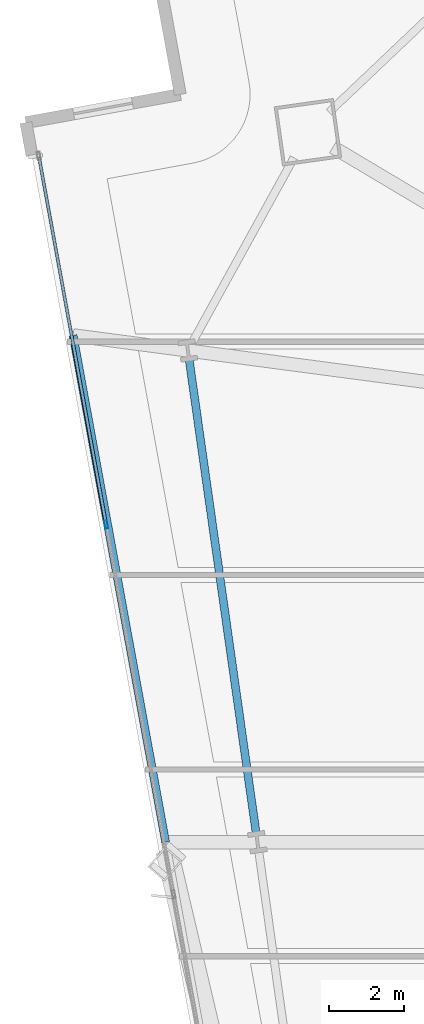
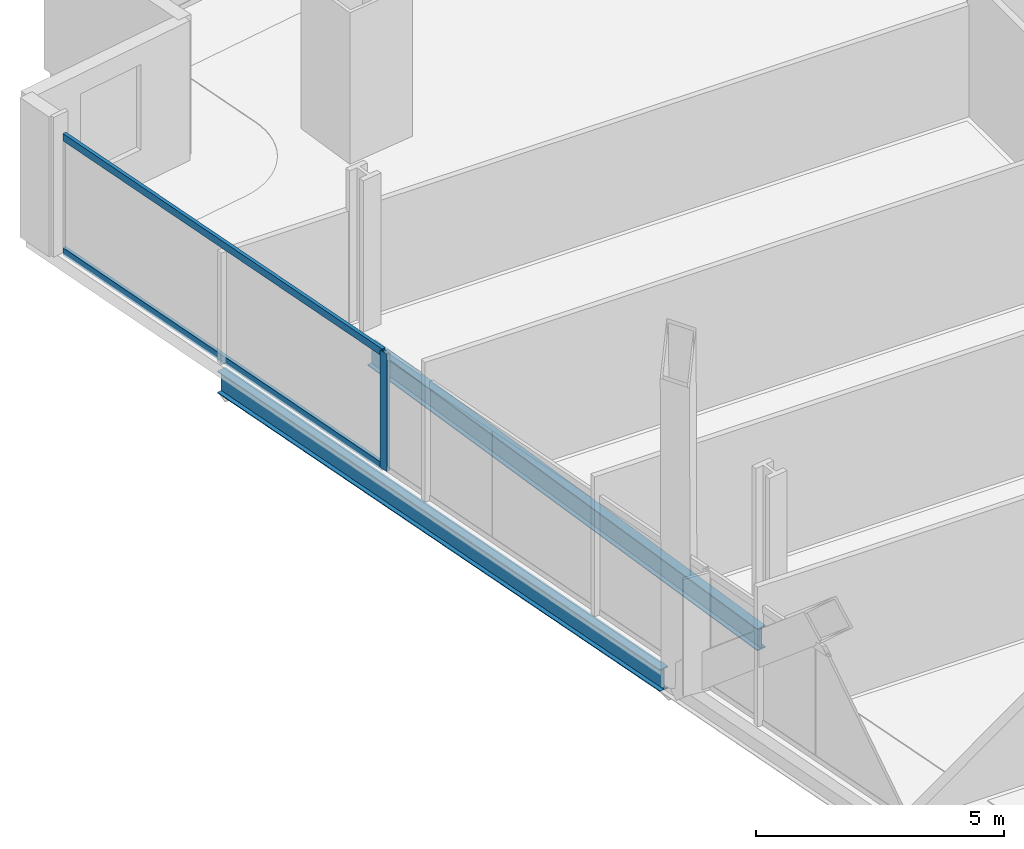
# One storey, part 14 of 34: 3 members, 2 beams, 1 element without a shape of its own.
"""IFC4 building model written with IfcOpenShell, lengths in metres."""

from ifc_helpers import new_model, si_unit, direction, frame, origin, origin_2d, place, context, subcontext, project, spatial, hollow_rectangle, i_section, extrude, material, material_profile, profile_set, type_object, element, aggregate, save


model = new_model("IFC4")

# Units and contexts
model_context = context("Model", 3, precision=1e-05, world=origin(), true_north=direction((0.0, 1.0)))
body_context = subcontext(model_context, "Body", "Model", "MODEL_VIEW")
ifc_project = project(units=[si_unit("LENGTHUNIT", "METRE"), si_unit("AREAUNIT", "SQUARE_METRE"), si_unit("VOLUMEUNIT", "CUBIC_METRE"), si_unit("PLANEANGLEUNIT", "RADIAN"), si_unit("MASSUNIT", "GRAM", prefix="KILO")], contexts=[model_context])

# Site, building, storey
site_placement = place(None, origin())
site = spatial("IfcSite", under=ifc_project, at=site_placement, CompositionType="ELEMENT")
building_placement = place(site_placement, origin())
building = spatial("IfcBuilding", under=site, at=building_placement, Name="Haldenkirk Collegiate Tower", CompositionType="ELEMENT")
storey_placement = place(building_placement, frame((0.0, 0.0, 62.699951171875)))
storey = spatial("IfcBuildingStorey", under=building, at=storey_placement, Name="L14", CompositionType="ELEMENT", Elevation=62.699951171875)

# Beams
ifc_material_1 = material(Name="Steel ASTM A992 Grade 50", Category="steel")
ifc_material_profile_1 = material_profile(ifc_material_1, i_section(OverallWidth=0.2119140625, OverallDepth=0.5439453125, WebThickness=0.01318359375, FlangeThickness=0.021240234375, at=origin_2d()), Name="W21X83")
ifc_profile_set_1 = profile_set([ifc_material_profile_1], Name="Steel ASTM A992 Grade 50")
beam_type = type_object("IfcBeamType", Name="BM-SPANDREL-W21X83", PredefinedType="SPANDREL", material=ifc_profile_set_1)
beam_1_placement = place(storey_placement, frame((10.30322265625, 35.951171875, -0.58203125), z_axis=(0.140049989419, -0.990144434143, 0.0), x_axis=(0.990144434143, 0.140049989419, 0.0)))
element("IfcBeam", 1, at=beam_1_placement, inside=storey, type_object=beam_type, Name="L14 perimeter spandrel beam 14", PredefinedType="SPANDREL", context=body_context, shape_type="SweptSolid", body=[
    extrude(i_section(OverallWidth=0.2119140625, OverallDepth=0.5439453125, WebThickness=0.01318359375, FlangeThickness=0.021240234375, at=origin_2d()), origin(), (0.0, 0.0, 1.0), 12.76220703125),
])
beam_2_placement = place(storey_placement, frame((7.193359375, 36.619384765625, -0.58203125), z_axis=(0.179651860756, -0.983730252115, 0.0), x_axis=(0.983730252115, 0.179651860756, 0.0)))
element("IfcBeam", 2, at=beam_2_placement, inside=storey, type_object=beam_type, Name="L14 outer facade edge beam 4A", PredefinedType="SPANDREL", context=body_context, shape_type="SweptSolid", body=[
    extrude(i_section(OverallWidth=0.2119140625, OverallDepth=0.5439453125, WebThickness=0.01318359375, FlangeThickness=0.021240234375, at=origin_2d()), origin(), (0.0, 0.0, 1.0), 13.790771484375),
])

# Curtain wall, members
ifc_material_2 = material(Name="Anodised architectural bronze aluminium", Category="aluminium")
curtain_wall_type = type_object("IfcCurtainWallType", Name="CW-SYS1-CONVEX-LOW", PredefinedType="USERDEFINED", material=ifc_material_2)
curtain_wall_placement = place(storey_placement, origin())
curtain_wall = element("IfcCurtainWall", 3, at=curtain_wall_placement, inside=storey, type_object=curtain_wall_type, Name="L14 Lower tower convex bronze-framed unitised curtain wall", ObjectType="UNITISED CURTAIN WALL", PredefinedType="USERDEFINED")
ifc_material_profile_2 = material_profile(ifc_material_2, hollow_rectangle(XDim=0.080078125, YDim=0.219970703125, WallThickness=0.0048828125, at=origin_2d()), Name="CW-MUL-1A")
ifc_profile_set_2 = profile_set([ifc_material_profile_2], Name="Anodised architectural bronze aluminium")
member_type_1 = type_object("IfcMemberType", Name="CW-MUL-1A", PredefinedType="MULLION", material=ifc_profile_set_2)
member_1_placement = place(storey_placement, frame((8.07763671875, 31.554931640625, 0.0), z_axis=(0.0, 0.0, 1.0), x_axis=(-0.983728733251, -0.179660177491, 0.0)))
member_1 = element("IfcMember", 4, at=member_1_placement, type_object=member_type_1, Name="CW-1A mullion 4", PredefinedType="MULLION", context=body_context, shape_type="SweptSolid", body=[
    extrude(hollow_rectangle(XDim=0.080078125, YDim=0.219970703125, WallThickness=0.0048828125, at=origin_2d()), origin(), (0.0, 0.0, 1.0), 2.89111328125),
])
ifc_material_profile_3 = material_profile(ifc_material_2, hollow_rectangle(XDim=0.080078125, YDim=0.179931640625, WallThickness=0.0048828125, at=origin_2d()), Name="CW-TRN-1A")
ifc_profile_set_3 = profile_set([ifc_material_profile_3], Name="Anodised architectural bronze aluminium")
member_type_2 = type_object("IfcMemberType", Name="CW-TRN-1A", PredefinedType="USERDEFINED", material=ifc_profile_set_3)
member_2_placement = place(storey_placement, frame((8.070556640625, 31.59423828125, 0.0400390625), z_axis=(-0.179680075224, 0.983725099084, 0.0), x_axis=(-0.983725099084, -0.179680075224, 0.0)))
member_2 = element("IfcMember", 5, at=member_2_placement, type_object=member_type_2, Name="CW-1A transom 4.1", ObjectType="TRANSOM", PredefinedType="USERDEFINED", context=body_context, shape_type="SweptSolid", body=[
    extrude(hollow_rectangle(XDim=0.080078125, YDim=0.179931640625, WallThickness=0.0048828125, at=origin_2d()), origin(), (0.0, 0.0, 1.0), 9.94873046875),
])
member_3_placement = place(storey_placement, frame((8.070556640625, 31.59423828125, 2.85107421875), z_axis=(-0.179680075224, 0.983725099084, 0.0), x_axis=(-0.983725099084, -0.179680075224, 0.0)))
member_3 = element("IfcMember", 6, at=member_3_placement, type_object=member_type_2, Name="CW-1A transom 4.2", ObjectType="TRANSOM", PredefinedType="USERDEFINED", context=body_context, shape_type="SweptSolid", body=[
    extrude(hollow_rectangle(XDim=0.080078125, YDim=0.179931640625, WallThickness=0.0048828125, at=origin_2d()), origin(), (0.0, 0.0, 1.0), 9.94873046875),
])
aggregate(curtain_wall, [member_1, member_2, member_3])

save(model, "model.ifc")
